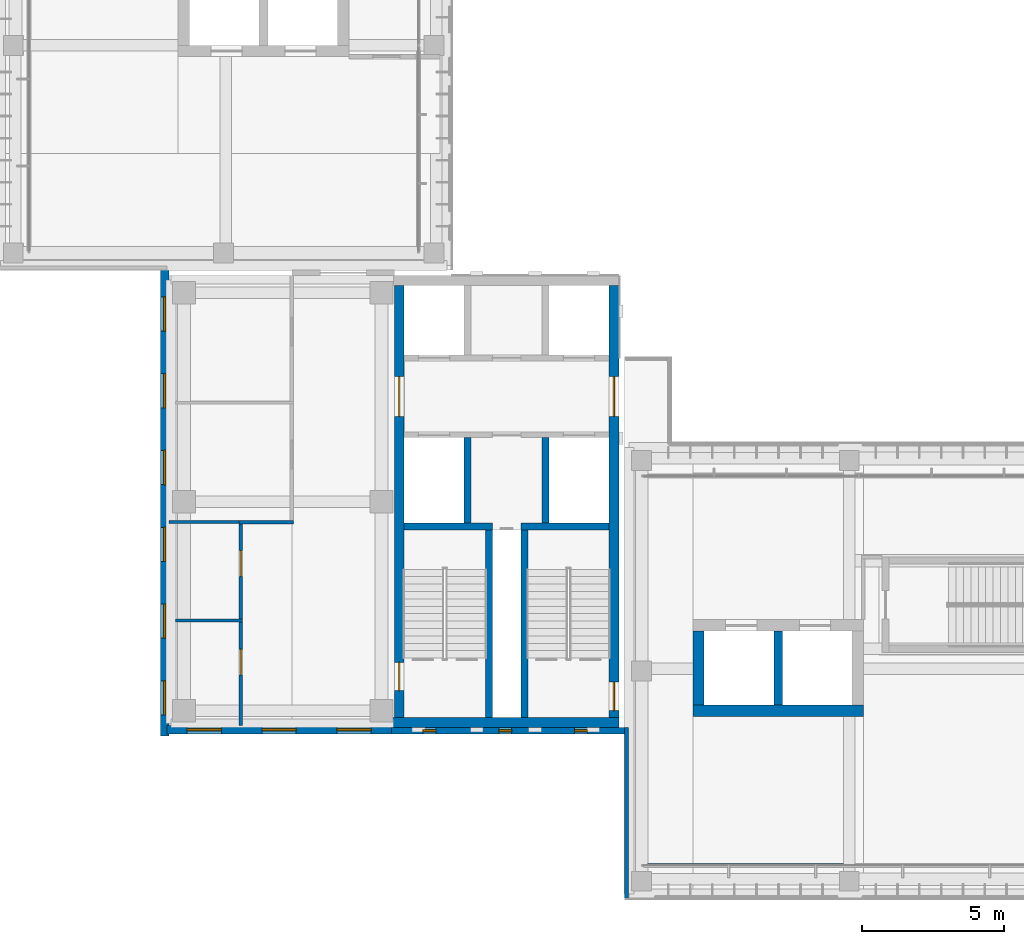
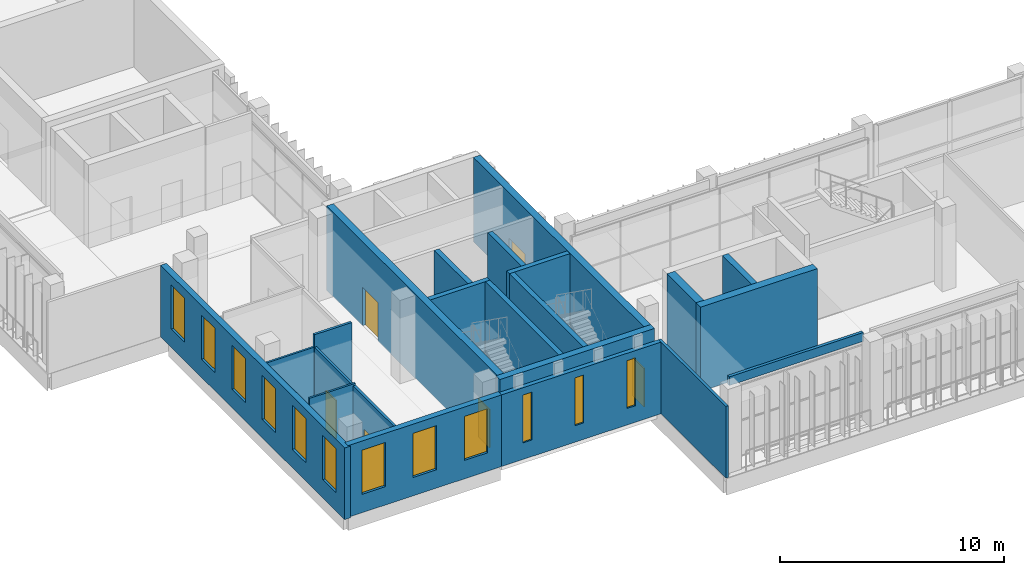
# One storey, part 22 of 46: 21 walls, 12 windows, 6 doors, 18 openings.
"""IFC4 building model written with IfcOpenShell, lengths in metres."""

from ifc_helpers import new_model, si_unit, direction, frame, frame_2d, origin, place, context, subcontext, project, spatial, rectangle, extrude, material, layer, layer_set, type_object, element, fill, save


model = new_model("IFC4")

# Units and contexts
model_context = context("Model", 3, precision=1e-05, world=origin(), true_north=direction((0.0, 1.0)))
body_context = subcontext(model_context, "Body", "Model", "MODEL_VIEW")
ifc_project = project(units=[si_unit("LENGTHUNIT", "METRE"), si_unit("AREAUNIT", "SQUARE_METRE"), si_unit("VOLUMEUNIT", "CUBIC_METRE"), si_unit("PLANEANGLEUNIT", "RADIAN"), si_unit("MASSUNIT", "GRAM", prefix="KILO")], contexts=[model_context])

# Site, building, storey
site_placement = place(None, origin())
site = spatial("IfcSite", under=ifc_project, at=site_placement, CompositionType="ELEMENT")
building_placement = place(site_placement, origin())
building = spatial("IfcBuilding", under=site, at=building_placement, Name="Lantern Court Media Centre", CompositionType="ELEMENT")
storey_placement = place(building_placement, frame((0.0, 0.0, 28.800048828125)))
storey = spatial("IfcBuildingStorey", under=building, at=storey_placement, Name="L06", CompositionType="ELEMENT", Elevation=28.800048828125)

# Wall
ifc_material_1 = material(Name="Gypsum board partition")
ifc_layer_1 = layer(ifc_material_1, 0.125)
ifc_layer_set_1 = layer_set([ifc_layer_1], Name="Gypsum board partition")
wall_type_1 = type_object("IfcWallType", Name="Corridor partition 125", PredefinedType="PARTITIONING", material=ifc_layer_set_1)
wall_1_placement = place(storey_placement, frame((10.53759765625, 55.23291015625, 0.0), z_axis=(0.0, 0.0, 1.0), x_axis=(1.0, 0.0, 0.0)))
element("IfcWall", 1, at=wall_1_placement, inside=storey, type_object=wall_type_1, Name="L06 partition 019", PredefinedType="PARTITIONING", context=body_context, shape_type="SweptSolid", body=[
    extrude(rectangle(XDim=1.9248046875, YDim=0.125, at=frame_2d((0.96240234375, 0.0))), origin(), (0.0, 0.0, 1.0), 4.56005859375),
])

# Wall, openings, doors
wall_2_placement = place(storey_placement, frame((10.60009765625, 48.080078125, 0.0), z_axis=(0.0, 0.0, 1.0), x_axis=(0.0, 1.0, 0.0)))
wall_2 = element("IfcWall", 2, at=wall_2_placement, inside=storey, type_object=wall_type_1, Name="L06 partition 021", PredefinedType="PARTITIONING", context=body_context, shape_type="SweptSolid", body=[
    extrude(rectangle(XDim=7.0908203125, YDim=0.125, at=frame_2d((3.54541015625, 0.0))), origin(), (0.0, 0.0, 1.0), 3.8798828125),
])
opening_1_placement = place(wall_2_placement, frame((1.7783203125, 0.0, 0.0)))
opening_1 = element("IfcOpeningElement", 3, at=opening_1_placement, cuts=wall_2, Name="Opening L06-011", PredefinedType="OPENING", context=body_context, shape_type="SweptSolid", body=[
    extrude(rectangle(XDim=0.89990234375, YDim=2.10009765625, at=frame_2d((0.449951171875, 1.050048828125))), frame((0.0, 0.072509765625, 0.0), z_axis=(0.0, -1.0, 0.0), x_axis=(1.0, 0.0, 0.0)), (0.0, 0.0, 1.0), 0.14501953125),
])
opening_2_placement = place(wall_2_placement, frame((5.2451171875, 0.0, 0.0)))
opening_2 = element("IfcOpeningElement", 4, at=opening_2_placement, cuts=wall_2, Name="Opening L06-012", PredefinedType="OPENING", context=body_context, shape_type="SweptSolid", body=[
    extrude(rectangle(XDim=0.89990234375, YDim=2.10009765625, at=frame_2d((0.449951171875, 1.050048828125))), frame((0.0, 0.072509765625, 0.0), z_axis=(0.0, -1.0, 0.0), x_axis=(1.0, 0.0, 0.0)), (0.0, 0.0, 1.0), 0.14501953125),
])
ifc_material_2 = material(Name="Solid-core timber door leaf", Category="wood")
door_type_1 = type_object("IfcDoorType", Name="Single door 900x2100", OperationType="NOTDEFINED", PredefinedType="DOOR", material=ifc_material_2)
door_1_placement = place(opening_1_placement, origin())
door_1 = element("IfcDoor", 5, at=door_1_placement, inside=storey, type_object=door_type_1, Name="L06 WC Male door", OperationType="SINGLE_SWING_RIGHT", OverallHeight=2.10009765625, OverallWidth=0.89990234375, PredefinedType="DOOR", context=body_context, shape_type="SweptSolid", body=[
    extrude(rectangle(XDim=0.89990234375, YDim=2.10009765625, at=frame_2d((0.449951171875, 1.050048828125))), frame((0.0, 0.02490234375, 0.0), z_axis=(0.0, -1.0, 0.0), x_axis=(1.0, 0.0, 0.0)), (0.0, 0.0, 1.0), 0.050048828125),
])
fill(opening_1, door_1)
door_2_placement = place(opening_2_placement, origin())
door_2 = element("IfcDoor", 6, at=door_2_placement, inside=storey, type_object=door_type_1, Name="L06 WC Female door", OperationType="SINGLE_SWING_LEFT", OverallHeight=2.10009765625, OverallWidth=0.89990234375, PredefinedType="DOOR", context=body_context, shape_type="SweptSolid", body=[
    extrude(rectangle(XDim=0.89990234375, YDim=2.10009765625, at=frame_2d((0.449951171875, 1.050048828125))), frame((0.0, 0.02490234375, 0.0), z_axis=(0.0, -1.0, 0.0), x_axis=(1.0, 0.0, 0.0)), (0.0, 0.0, 1.0), 0.050048828125),
])
fill(opening_2, door_2)

# Wall
ifc_material_3 = material(Name="Insulated rendered blockwork", Category="masonry")
ifc_layer_2 = layer(ifc_material_3, 0.14990234375)
ifc_layer_set_2 = layer_set([ifc_layer_2], Name="Insulated rendered blockwork")
wall_type_2 = type_object("IfcWallType", Name="Head infill wall 150", PredefinedType="SOLIDWALL", material=ifc_layer_set_2)
wall_3_placement = place(storey_placement, frame((24.89990234375, 43.14990234375, 4.099853515625), z_axis=(0.0, 0.0, 1.0), x_axis=(1.0, 0.0, 0.0)))
element("IfcWall", 7, at=wall_3_placement, inside=storey, type_object=wall_type_2, Name="Head infill wall S outer L06", PredefinedType="SOLIDWALL", context=body_context, shape_type="SweptSolid", body=[
    extrude(rectangle(XDim=6.900146484375, YDim=0.14990234375, at=frame_2d((3.4501953125, 0.0))), origin(), (0.0, 0.0, 1.0), 0.47998046875),
])

# Wall, openings, windows
ifc_material_4 = material(Name="Honed limestone cladding on blockwork", Category="masonry")
ifc_layer_3 = layer(ifc_material_4, 0.300048828125)
ifc_layer_set_3 = layer_set([ifc_layer_3], Name="Honed limestone cladding on blockwork")
wall_type_3 = type_object("IfcWallType", Name="Limestone block wall 300", PredefinedType="SOLIDWALL", material=ifc_layer_set_3)
wall_4_placement = place(storey_placement, frame((7.929931640625, 47.699951171875, 0.0), z_axis=(0.0, 0.0, 1.0), x_axis=(0.0, 1.0, 0.0)))
wall_4 = element("IfcWall", 8, at=wall_4_placement, inside=storey, type_object=wall_type_3, Name="Limestone wall SW W L06", PredefinedType="SOLIDWALL", context=body_context, shape_type="SweptSolid", body=[
    extrude(rectangle(XDim=16.400146484375, YDim=0.300048828125, at=frame_2d((8.2001953125, 0.0))), origin(), (0.0, 0.0, 1.0), 3.89990234375),
])
opening_3_placement = place(wall_4_placement, frame((0.75, 0.0, 1.0)))
opening_3 = element("IfcOpeningElement", 9, at=opening_3_placement, cuts=wall_4, Name="Opening WN-A", PredefinedType="OPENING", context=body_context, shape_type="SweptSolid", body=[
    extrude(rectangle(XDim=1.199951171875, YDim=2.39990234375, at=frame_2d((0.60009765625, 1.199951171875))), frame((0.0, 0.159912109375, 0.0), z_axis=(0.0, -1.0, 0.0), x_axis=(1.0, 0.0, 0.0)), (0.0, 0.0, 1.0), 0.320068359375),
])
opening_4_placement = place(wall_4_placement, frame((3.449951171875, 0.0, 1.0)))
opening_4 = element("IfcOpeningElement", 10, at=opening_4_placement, cuts=wall_4, Name="Opening WN-A", PredefinedType="OPENING", context=body_context, shape_type="SweptSolid", body=[
    extrude(rectangle(XDim=1.199951171875, YDim=2.39990234375, at=frame_2d((0.60009765625, 1.199951171875))), frame((0.0, 0.159912109375, 0.0), z_axis=(0.0, -1.0, 0.0), x_axis=(1.0, 0.0, 0.0)), (0.0, 0.0, 1.0), 0.320068359375),
])
opening_5_placement = place(wall_4_placement, frame((6.14990234375, 0.0, 1.0)))
opening_5 = element("IfcOpeningElement", 11, at=opening_5_placement, cuts=wall_4, Name="Opening WN-A", PredefinedType="OPENING", context=body_context, shape_type="SweptSolid", body=[
    extrude(rectangle(XDim=1.199951171875, YDim=2.39990234375, at=frame_2d((0.60009765625, 1.199951171875))), frame((0.0, 0.159912109375, 0.0), z_axis=(0.0, -1.0, 0.0), x_axis=(1.0, 0.0, 0.0)), (0.0, 0.0, 1.0), 0.320068359375),
])
opening_6_placement = place(wall_4_placement, frame((8.85009765625, 0.0, 1.0)))
opening_6 = element("IfcOpeningElement", 12, at=opening_6_placement, cuts=wall_4, Name="Opening WN-A", PredefinedType="OPENING", context=body_context, shape_type="SweptSolid", body=[
    extrude(rectangle(XDim=1.199951171875, YDim=2.39990234375, at=frame_2d((0.60009765625, 1.199951171875))), frame((0.0, 0.159912109375, 0.0), z_axis=(0.0, -1.0, 0.0), x_axis=(1.0, 0.0, 0.0)), (0.0, 0.0, 1.0), 0.320068359375),
])
opening_7_placement = place(wall_4_placement, frame((11.550048828125, 0.0, 1.0)))
opening_7 = element("IfcOpeningElement", 13, at=opening_7_placement, cuts=wall_4, Name="Opening WN-A", PredefinedType="OPENING", context=body_context, shape_type="SweptSolid", body=[
    extrude(rectangle(XDim=1.199951171875, YDim=2.39990234375, at=frame_2d((0.60009765625, 1.199951171875))), frame((0.0, 0.159912109375, 0.0), z_axis=(0.0, -1.0, 0.0), x_axis=(1.0, 0.0, 0.0)), (0.0, 0.0, 1.0), 0.320068359375),
])
opening_8_placement = place(wall_4_placement, frame((14.25, 0.0, 1.0)))
opening_8 = element("IfcOpeningElement", 14, at=opening_8_placement, cuts=wall_4, Name="Opening WN-A", PredefinedType="OPENING", context=body_context, shape_type="SweptSolid", body=[
    extrude(rectangle(XDim=1.199951171875, YDim=2.39990234375, at=frame_2d((0.60009765625, 1.199951171875))), frame((0.0, 0.159912109375, 0.0), z_axis=(0.0, -1.0, 0.0), x_axis=(1.0, 0.0, 0.0)), (0.0, 0.0, 1.0), 0.320068359375),
])
ifc_material_5 = material(Name="Anodised aluminium and glass", Category="aluminium")
window_type_1 = type_object("IfcWindowType", Name="Attic window 1200x2400", PartitioningType="SINGLE_PANEL", PredefinedType="WINDOW", material=ifc_material_5)
window_1_placement = place(opening_3_placement, origin())
window_1 = element("IfcWindow", 15, at=window_1_placement, inside=storey, type_object=window_type_1, Name="Window SW W L06", OverallHeight=2.39990234375, OverallWidth=1.199951171875, PartitioningType="SINGLE_PANEL", PredefinedType="WINDOW", context=body_context, shape_type="SweptSolid", body=[
    extrude(rectangle(XDim=1.199951171875, YDim=2.39990234375, at=frame_2d((0.60009765625, 1.199951171875))), frame((0.0, 0.030029296875, 0.0), z_axis=(0.0, -1.0, 0.0), x_axis=(1.0, 0.0, 0.0)), (0.0, 0.0, 1.0), 0.06005859375),
])
fill(opening_3, window_1)
window_2_placement = place(opening_4_placement, origin())
window_2 = element("IfcWindow", 16, at=window_2_placement, inside=storey, type_object=window_type_1, Name="Window SW W L06", OverallHeight=2.39990234375, OverallWidth=1.199951171875, PartitioningType="SINGLE_PANEL", PredefinedType="WINDOW", context=body_context, shape_type="SweptSolid", body=[
    extrude(rectangle(XDim=1.199951171875, YDim=2.39990234375, at=frame_2d((0.60009765625, 1.199951171875))), frame((0.0, 0.030029296875, 0.0), z_axis=(0.0, -1.0, 0.0), x_axis=(1.0, 0.0, 0.0)), (0.0, 0.0, 1.0), 0.06005859375),
])
fill(opening_4, window_2)
window_3_placement = place(opening_5_placement, origin())
window_3 = element("IfcWindow", 17, at=window_3_placement, inside=storey, type_object=window_type_1, Name="Window SW W L06", OverallHeight=2.39990234375, OverallWidth=1.199951171875, PartitioningType="SINGLE_PANEL", PredefinedType="WINDOW", context=body_context, shape_type="SweptSolid", body=[
    extrude(rectangle(XDim=1.199951171875, YDim=2.39990234375, at=frame_2d((0.60009765625, 1.199951171875))), frame((0.0, 0.030029296875, 0.0), z_axis=(0.0, -1.0, 0.0), x_axis=(1.0, 0.0, 0.0)), (0.0, 0.0, 1.0), 0.06005859375),
])
fill(opening_5, window_3)
window_4_placement = place(opening_6_placement, origin())
window_4 = element("IfcWindow", 18, at=window_4_placement, inside=storey, type_object=window_type_1, Name="Window SW W L06", OverallHeight=2.39990234375, OverallWidth=1.199951171875, PartitioningType="SINGLE_PANEL", PredefinedType="WINDOW", context=body_context, shape_type="SweptSolid", body=[
    extrude(rectangle(XDim=1.199951171875, YDim=2.39990234375, at=frame_2d((0.60009765625, 1.199951171875))), frame((0.0, 0.030029296875, 0.0), z_axis=(0.0, -1.0, 0.0), x_axis=(1.0, 0.0, 0.0)), (0.0, 0.0, 1.0), 0.06005859375),
])
fill(opening_6, window_4)
window_5_placement = place(opening_7_placement, origin())
window_5 = element("IfcWindow", 19, at=window_5_placement, inside=storey, type_object=window_type_1, Name="Window SW W L06", OverallHeight=2.39990234375, OverallWidth=1.199951171875, PartitioningType="SINGLE_PANEL", PredefinedType="WINDOW", context=body_context, shape_type="SweptSolid", body=[
    extrude(rectangle(XDim=1.199951171875, YDim=2.39990234375, at=frame_2d((0.60009765625, 1.199951171875))), frame((0.0, 0.030029296875, 0.0), z_axis=(0.0, -1.0, 0.0), x_axis=(1.0, 0.0, 0.0)), (0.0, 0.0, 1.0), 0.06005859375),
])
fill(opening_7, window_5)
window_6_placement = place(opening_8_placement, origin())
window_6 = element("IfcWindow", 20, at=window_6_placement, inside=storey, type_object=window_type_1, Name="Window SW W L06", OverallHeight=2.39990234375, OverallWidth=1.199951171875, PartitioningType="SINGLE_PANEL", PredefinedType="WINDOW", context=body_context, shape_type="SweptSolid", body=[
    extrude(rectangle(XDim=1.199951171875, YDim=2.39990234375, at=frame_2d((0.60009765625, 1.199951171875))), frame((0.0, 0.030029296875, 0.0), z_axis=(0.0, -1.0, 0.0), x_axis=(1.0, 0.0, 0.0)), (0.0, 0.0, 1.0), 0.06005859375),
])
fill(opening_8, window_6)

wall_5_placement = place(storey_placement, frame((8.0, 47.929931640625, 0.0), z_axis=(0.0, 0.0, 1.0), x_axis=(1.0, 0.0, 0.0)))
wall_5 = element("IfcWall", 21, at=wall_5_placement, inside=storey, type_object=wall_type_3, Name="Limestone wall SW S L06", PredefinedType="SOLIDWALL", context=body_context, shape_type="SweptSolid", body=[
    extrude(rectangle(XDim=7.89990234375, YDim=0.300048828125, at=frame_2d((3.949951171875, 0.0))), origin(), (0.0, 0.0, 1.0), 3.89990234375),
])
opening_9_placement = place(wall_5_placement, frame((0.716552734375, 0.0, 1.0)))
opening_9 = element("IfcOpeningElement", 22, at=opening_9_placement, cuts=wall_5, Name="Opening WN-A", PredefinedType="OPENING", context=body_context, shape_type="SweptSolid", body=[
    extrude(rectangle(XDim=1.199951171875, YDim=2.39990234375, at=frame_2d((0.60009765625, 1.199951171875))), frame((0.0, 0.159912109375, 0.0), z_axis=(0.0, -1.0, 0.0), x_axis=(1.0, 0.0, 0.0)), (0.0, 0.0, 1.0), 0.320068359375),
])
opening_10_placement = place(wall_5_placement, frame((3.35009765625, 0.0, 1.0)))
opening_10 = element("IfcOpeningElement", 23, at=opening_10_placement, cuts=wall_5, Name="Opening WN-A", PredefinedType="OPENING", context=body_context, shape_type="SweptSolid", body=[
    extrude(rectangle(XDim=1.199951171875, YDim=2.39990234375, at=frame_2d((0.60009765625, 1.199951171875))), frame((0.0, 0.159912109375, 0.0), z_axis=(0.0, -1.0, 0.0), x_axis=(1.0, 0.0, 0.0)), (0.0, 0.0, 1.0), 0.320068359375),
])
opening_11_placement = place(wall_5_placement, frame((5.9833984375, 0.0, 1.0)))
opening_11 = element("IfcOpeningElement", 24, at=opening_11_placement, cuts=wall_5, Name="Opening WN-A", PredefinedType="OPENING", context=body_context, shape_type="SweptSolid", body=[
    extrude(rectangle(XDim=1.199951171875, YDim=2.39990234375, at=frame_2d((0.60009765625, 1.199951171875))), frame((0.0, 0.159912109375, 0.0), z_axis=(0.0, -1.0, 0.0), x_axis=(1.0, 0.0, 0.0)), (0.0, 0.0, 1.0), 0.320068359375),
])
window_7_placement = place(opening_9_placement, origin())
window_7 = element("IfcWindow", 25, at=window_7_placement, inside=storey, type_object=window_type_1, Name="Window SW S L06", OverallHeight=2.39990234375, OverallWidth=1.199951171875, PartitioningType="SINGLE_PANEL", PredefinedType="WINDOW", context=body_context, shape_type="SweptSolid", body=[
    extrude(rectangle(XDim=1.199951171875, YDim=2.39990234375, at=frame_2d((0.60009765625, 1.199951171875))), frame((0.0, 0.030029296875, 0.0), z_axis=(0.0, -1.0, 0.0), x_axis=(1.0, 0.0, 0.0)), (0.0, 0.0, 1.0), 0.06005859375),
])
fill(opening_9, window_7)
window_8_placement = place(opening_10_placement, origin())
window_8 = element("IfcWindow", 26, at=window_8_placement, inside=storey, type_object=window_type_1, Name="Window SW S L06", OverallHeight=2.39990234375, OverallWidth=1.199951171875, PartitioningType="SINGLE_PANEL", PredefinedType="WINDOW", context=body_context, shape_type="SweptSolid", body=[
    extrude(rectangle(XDim=1.199951171875, YDim=2.39990234375, at=frame_2d((0.60009765625, 1.199951171875))), frame((0.0, 0.030029296875, 0.0), z_axis=(0.0, -1.0, 0.0), x_axis=(1.0, 0.0, 0.0)), (0.0, 0.0, 1.0), 0.06005859375),
])
fill(opening_10, window_8)
window_9_placement = place(opening_11_placement, origin())
window_9 = element("IfcWindow", 27, at=window_9_placement, inside=storey, type_object=window_type_1, Name="Window SW S L06", OverallHeight=2.39990234375, OverallWidth=1.199951171875, PartitioningType="SINGLE_PANEL", PredefinedType="WINDOW", context=body_context, shape_type="SweptSolid", body=[
    extrude(rectangle(XDim=1.199951171875, YDim=2.39990234375, at=frame_2d((0.60009765625, 1.199951171875))), frame((0.0, 0.030029296875, 0.0), z_axis=(0.0, -1.0, 0.0), x_axis=(1.0, 0.0, 0.0)), (0.0, 0.0, 1.0), 0.06005859375),
])
fill(opening_11, window_9)

# Wall
ifc_layer_4 = layer(ifc_material_4, 0.139892578125)
ifc_layer_set_4 = layer_set([ifc_layer_4], Name="Honed limestone cladding on blockwork")
wall_type_4 = type_object("IfcWallType", Name="Limestone closure wall 140", PredefinedType="SOLIDWALL", material=ifc_layer_set_4)
wall_6_placement = place(storey_placement, frame((24.169921875, 42.0, 0.0), z_axis=(0.0, 0.0, 1.0), x_axis=(0.0, 1.0, 0.0)))
element("IfcWall", 28, at=wall_6_placement, inside=storey, type_object=wall_type_4, Name="Limestone closure wall S-SW L06", PredefinedType="SOLIDWALL", context=body_context, shape_type="SweptSolid", body=[
    extrude(rectangle(XDim=6.0, YDim=0.139892578125, at=frame_2d((3.0, 0.0))), origin(), (0.0, 0.0, 1.0), 3.89990234375),
])

# Wall, openings, windows
ifc_material_6 = material(Name="Honed limestone cladding on blockwork, reduced to 220 where it passes the core wall", Category="masonry")
ifc_layer_5 = layer(ifc_material_6, 0.219970703125)
ifc_layer_set_5 = layer_set([ifc_layer_5], Name="Honed limestone cladding on blockwork, reduced to 220 where it passes the core wall")
wall_type_5 = type_object("IfcWallType", Name="Limestone skin wall 220", PredefinedType="SOLIDWALL", material=ifc_layer_set_5)
wall_7_placement = place(storey_placement, frame((15.89990234375, 47.889892578125, 0.0), z_axis=(0.0, 0.0, 1.0), x_axis=(1.0, 0.0, 0.0)))
wall_7 = element("IfcWall", 29, at=wall_7_placement, inside=storey, type_object=wall_type_5, Name="Limestone wall SW S L06", PredefinedType="SOLIDWALL", context=body_context, shape_type="SweptSolid", body=[
    extrude(rectangle(XDim=8.2001953125, YDim=0.219970703125, at=frame_2d((4.10009765625, 0.0))), origin(), (0.0, 0.0, 1.0), 3.89990234375),
])
opening_12_placement = place(wall_7_placement, frame((1.1083984375, 0.0, 0.89990234375)))
opening_12 = element("IfcOpeningElement", 30, at=opening_12_placement, cuts=wall_7, Name="Opening WN-S", PredefinedType="OPENING", context=body_context, shape_type="SweptSolid", body=[
    extrude(rectangle(XDim=0.449951171875, YDim=2.60009765625, at=frame_2d((0.22509765625, 1.300048828125))), frame((0.0, 0.119873046875, 0.0), z_axis=(0.0, -1.0, 0.0), x_axis=(1.0, 0.0, 0.0)), (0.0, 0.0, 1.0), 0.239990234375),
])
opening_13_placement = place(wall_7_placement, frame((3.77490234375, 0.0, 0.89990234375)))
opening_13 = element("IfcOpeningElement", 31, at=opening_13_placement, cuts=wall_7, Name="Opening WN-S", PredefinedType="OPENING", context=body_context, shape_type="SweptSolid", body=[
    extrude(rectangle(XDim=0.449951171875, YDim=2.60009765625, at=frame_2d((0.22509765625, 1.300048828125))), frame((0.0, 0.119873046875, 0.0), z_axis=(0.0, -1.0, 0.0), x_axis=(1.0, 0.0, 0.0)), (0.0, 0.0, 1.0), 0.239990234375),
])
opening_14_placement = place(wall_7_placement, frame((6.441650390625, 0.0, 0.89990234375)))
opening_14 = element("IfcOpeningElement", 32, at=opening_14_placement, cuts=wall_7, Name="Opening WN-S", PredefinedType="OPENING", context=body_context, shape_type="SweptSolid", body=[
    extrude(rectangle(XDim=0.449951171875, YDim=2.60009765625, at=frame_2d((0.22509765625, 1.300048828125))), frame((0.0, 0.119873046875, 0.0), z_axis=(0.0, -1.0, 0.0), x_axis=(1.0, 0.0, 0.0)), (0.0, 0.0, 1.0), 0.239990234375),
])
window_type_2 = type_object("IfcWindowType", Name="Stair slit window 450x2600", PartitioningType="SINGLE_PANEL", PredefinedType="WINDOW", material=ifc_material_5)
window_10_placement = place(opening_12_placement, origin())
window_10 = element("IfcWindow", 33, at=window_10_placement, inside=storey, type_object=window_type_2, Name="Window SW S L06", OverallHeight=2.60009765625, OverallWidth=0.449951171875, PartitioningType="SINGLE_PANEL", PredefinedType="WINDOW", context=body_context, shape_type="SweptSolid", body=[
    extrude(rectangle(XDim=0.449951171875, YDim=2.60009765625, at=frame_2d((0.22509765625, 1.300048828125))), frame((0.0, 0.030029296875, 0.0), z_axis=(0.0, -1.0, 0.0), x_axis=(1.0, 0.0, 0.0)), (0.0, 0.0, 1.0), 0.06005859375),
])
fill(opening_12, window_10)
window_11_placement = place(opening_13_placement, origin())
window_11 = element("IfcWindow", 34, at=window_11_placement, inside=storey, type_object=window_type_2, Name="Window SW S L06", OverallHeight=2.60009765625, OverallWidth=0.449951171875, PartitioningType="SINGLE_PANEL", PredefinedType="WINDOW", context=body_context, shape_type="SweptSolid", body=[
    extrude(rectangle(XDim=0.449951171875, YDim=2.60009765625, at=frame_2d((0.22509765625, 1.300048828125))), frame((0.0, 0.030029296875, 0.0), z_axis=(0.0, -1.0, 0.0), x_axis=(1.0, 0.0, 0.0)), (0.0, 0.0, 1.0), 0.06005859375),
])
fill(opening_13, window_11)
window_12_placement = place(opening_14_placement, origin())
window_12 = element("IfcWindow", 35, at=window_12_placement, inside=storey, type_object=window_type_2, Name="Window SW S L06", OverallHeight=2.60009765625, OverallWidth=0.449951171875, PartitioningType="SINGLE_PANEL", PredefinedType="WINDOW", context=body_context, shape_type="SweptSolid", body=[
    extrude(rectangle(XDim=0.449951171875, YDim=2.60009765625, at=frame_2d((0.22509765625, 1.300048828125))), frame((0.0, 0.030029296875, 0.0), z_axis=(0.0, -1.0, 0.0), x_axis=(1.0, 0.0, 0.0)), (0.0, 0.0, 1.0), 0.06005859375),
])
fill(opening_14, window_12)

# Walls
ifc_layer_6 = layer(ifc_material_1, 0.10009765625)
ifc_layer_set_6 = layer_set([ifc_layer_6], Name="Gypsum board partition")
wall_type_6 = type_object("IfcWallType", Name="Partition 100", PredefinedType="PARTITIONING", material=ifc_layer_set_6)
wall_8_placement = place(storey_placement, frame((8.080078125, 55.23291015625, 0.0), z_axis=(0.0, 0.0, 1.0), x_axis=(1.0, 0.0, 0.0)))
element("IfcWall", 36, at=wall_8_placement, inside=storey, type_object=wall_type_6, Name="L06 partition 018", PredefinedType="PARTITIONING", context=body_context, shape_type="SweptSolid", body=[
    extrude(rectangle(XDim=2.58251953125, YDim=0.10009765625, at=frame_2d((1.291259765625, 0.0))), origin(), (0.0, 0.0, 1.0), 3.8798828125),
])
wall_9_placement = place(storey_placement, frame((8.300048828125, 51.76708984375, 0.0), z_axis=(0.0, 0.0, 1.0), x_axis=(1.0, 0.0, 0.0)))
element("IfcWall", 37, at=wall_9_placement, inside=storey, type_object=wall_type_6, Name="L06 partition 022", PredefinedType="PARTITIONING", context=body_context, shape_type="SweptSolid", body=[
    extrude(rectangle(XDim=2.362548828125, YDim=0.10009765625, at=frame_2d((1.18115234375, 0.0))), origin(), (0.0, 0.0, 1.0), 3.97998046875),
])
ifc_material_7 = material(Name="Concrete C40", Category="concrete")
ifc_layer_7 = layer(ifc_material_7, 0.35009765625)
ifc_layer_set_7 = layer_set([ifc_layer_7], Name="Concrete C40")
wall_type_7 = type_object("IfcWallType", Name="RC CORE WALL 350", PredefinedType="SHEAR", material=ifc_layer_set_7)
wall_10_placement = place(storey_placement, frame((15.949951171875, 48.175048828125, 0.0), z_axis=(0.0, 0.0, 1.0), x_axis=(1.0, 0.0, 0.0)))
element("IfcWall", 38, at=wall_10_placement, inside=storey, type_object=wall_type_7, Name="WC-SW-L06-S", PredefinedType="SHEAR", context=body_context, shape_type="SweptSolid", body=[
    extrude(rectangle(XDim=7.949951171875, YDim=0.35009765625, at=frame_2d((3.97509765625, 0.0))), origin(), (0.0, 0.0, 1.0), 4.579833984375),
])

# Wall, openings, doors
wall_11_placement = place(storey_placement, frame((16.175048828125, 48.35009765625, 0.0), z_axis=(0.0, 0.0, 1.0), x_axis=(0.0, 1.0, 0.0)))
wall_11 = element("IfcWall", 39, at=wall_11_placement, inside=storey, type_object=wall_type_7, Name="WC-SW-L06-W", PredefinedType="SHEAR", context=body_context, shape_type="SweptSolid", body=[
    extrude(rectangle(XDim=15.199951171875, YDim=0.35009765625, at=frame_2d((7.60009765625, 0.0))), origin(), (0.0, 0.0, 1.0), 4.579833984375),
])
opening_15_placement = place(wall_11_placement, frame((0.949951171875, 0.0, 0.0)))
opening_15 = element("IfcOpeningElement", 40, at=opening_15_placement, cuts=wall_11, Name="Opening SW-L06-01", PredefinedType="OPENING", context=body_context, shape_type="SweptSolid", body=[
    extrude(rectangle(XDim=1.0, YDim=2.10009765625, at=frame_2d((0.5, 1.050048828125))), frame((0.0, 0.18505859375, 0.0), z_axis=(0.0, -1.0, 0.0), x_axis=(1.0, 0.0, 0.0)), (0.0, 0.0, 1.0), 0.3701171875),
])
opening_16_placement = place(wall_11_placement, frame((10.60009765625, 0.0, 0.0)))
opening_16 = element("IfcOpeningElement", 41, at=opening_16_placement, cuts=wall_11, Name="Opening SW-L06-05", PredefinedType="OPENING", context=body_context, shape_type="SweptSolid", body=[
    extrude(rectangle(XDim=1.39990234375, YDim=2.10009765625, at=frame_2d((0.699951171875, 1.050048828125))), frame((0.0, 0.18505859375, 0.0), z_axis=(0.0, -1.0, 0.0), x_axis=(1.0, 0.0, 0.0)), (0.0, 0.0, 1.0), 0.3701171875),
])
ifc_material_8 = material(Name="Steel door leaf", Category="steel")
door_type_2 = type_object("IfcDoorType", Name="Lift lobby double door 1400x2100", OperationType="NOTDEFINED", PredefinedType="DOOR", material=ifc_material_8)
door_3_placement = place(opening_16_placement, origin())
door_3 = element("IfcDoor", 42, at=door_3_placement, inside=storey, type_object=door_type_2, Name="L06 SW lift lobby west door", OperationType="SINGLE_SWING_LEFT", OverallHeight=2.10009765625, OverallWidth=1.39990234375, PredefinedType="DOOR", context=body_context, shape_type="SweptSolid", body=[
    extrude(rectangle(XDim=1.39990234375, YDim=2.10009765625, at=frame_2d((0.699951171875, 1.050048828125))), frame((0.0, 0.02490234375, 0.0), z_axis=(0.0, -1.0, 0.0), x_axis=(1.0, 0.0, 0.0)), (0.0, 0.0, 1.0), 0.050048828125),
])
fill(opening_16, door_3)
door_type_3 = type_object("IfcDoorType", Name="Stair door 1000x2100", OperationType="NOTDEFINED", PredefinedType="DOOR", material=ifc_material_8)
door_4_placement = place(opening_15_placement, origin())
door_4 = element("IfcDoor", 43, at=door_4_placement, inside=storey, type_object=door_type_3, Name="L06 SW stair A door", OperationType="SINGLE_SWING_LEFT", OverallHeight=2.10009765625, OverallWidth=1.0, PredefinedType="DOOR", context=body_context, shape_type="SweptSolid", body=[
    extrude(rectangle(XDim=1.0, YDim=2.10009765625, at=frame_2d((0.5, 1.050048828125))), frame((0.0, 0.02490234375, 0.0), z_axis=(0.0, -1.0, 0.0), x_axis=(1.0, 0.0, 0.0)), (0.0, 0.0, 1.0), 0.050048828125),
])
fill(opening_15, door_4)

wall_12_placement = place(storey_placement, frame((23.72509765625, 48.35009765625, 0.0), z_axis=(0.0, 0.0, 1.0), x_axis=(0.0, 1.0, 0.0)))
wall_12 = element("IfcWall", 44, at=wall_12_placement, inside=storey, type_object=wall_type_7, Name="WC-SW-L06-E", PredefinedType="SHEAR", context=body_context, shape_type="SweptSolid", body=[
    extrude(rectangle(XDim=15.199951171875, YDim=0.35009765625, at=frame_2d((7.60009765625, 0.0))), origin(), (0.0, 0.0, 1.0), 4.579833984375),
])
opening_17_placement = place(wall_12_placement, frame((0.25, 0.0, 0.0)))
opening_17 = element("IfcOpeningElement", 45, at=opening_17_placement, cuts=wall_12, Name="Opening SW-L06-02", PredefinedType="OPENING", context=body_context, shape_type="SweptSolid", body=[
    extrude(rectangle(XDim=1.0, YDim=2.10009765625, at=frame_2d((0.5, 1.050048828125))), frame((0.0, 0.18505859375, 0.0), z_axis=(0.0, -1.0, 0.0), x_axis=(1.0, 0.0, 0.0)), (0.0, 0.0, 1.0), 0.3701171875),
])
opening_18_placement = place(wall_12_placement, frame((10.60009765625, 0.0, 0.0)))
opening_18 = element("IfcOpeningElement", 46, at=opening_18_placement, cuts=wall_12, Name="Opening SW-L06-06", PredefinedType="OPENING", context=body_context, shape_type="SweptSolid", body=[
    extrude(rectangle(XDim=1.39990234375, YDim=2.10009765625, at=frame_2d((0.699951171875, 1.050048828125))), frame((0.0, 0.18505859375, 0.0), z_axis=(0.0, -1.0, 0.0), x_axis=(1.0, 0.0, 0.0)), (0.0, 0.0, 1.0), 0.3701171875),
])
door_5_placement = place(opening_18_placement, frame((1.39990234375, 0.0, 0.0), z_axis=(0.0, 0.0, 1.0), x_axis=(-1.0, 0.0, 0.0)))
door_5 = element("IfcDoor", 47, at=door_5_placement, inside=storey, type_object=door_type_2, Name="L06 SW lift lobby east door", OperationType="SINGLE_SWING_RIGHT", OverallHeight=2.10009765625, OverallWidth=1.39990234375, PredefinedType="DOOR", context=body_context, shape_type="SweptSolid", body=[
    extrude(rectangle(XDim=1.39990234375, YDim=2.10009765625, at=frame_2d((0.699951171875, 1.050048828125))), frame((0.0, 0.02490234375, 0.0), z_axis=(0.0, -1.0, 0.0), x_axis=(1.0, 0.0, 0.0)), (0.0, 0.0, 1.0), 0.050048828125),
])
fill(opening_18, door_5)
door_6_placement = place(opening_17_placement, frame((1.0, 0.0, 0.0), z_axis=(0.0, 0.0, 1.0), x_axis=(-1.0, 0.0, 0.0)))
door_6 = element("IfcDoor", 48, at=door_6_placement, inside=storey, type_object=door_type_3, Name="L06 SW stair B door", OperationType="SINGLE_SWING_RIGHT", OverallHeight=2.10009765625, OverallWidth=1.0, PredefinedType="DOOR", context=body_context, shape_type="SweptSolid", body=[
    extrude(rectangle(XDim=1.0, YDim=2.10009765625, at=frame_2d((0.5, 1.050048828125))), frame((0.0, 0.02490234375, 0.0), z_axis=(0.0, -1.0, 0.0), x_axis=(1.0, 0.0, 0.0)), (0.0, 0.0, 1.0), 0.050048828125),
])
fill(opening_17, door_6)

# Walls
ifc_layer_8 = layer(ifc_material_7, 0.300048828125)
ifc_layer_set_8 = layer_set([ifc_layer_8], Name="Concrete C40")
wall_type_8 = type_object("IfcWallType", Name="RC SHEAR WALL 300", PredefinedType="SHEAR", material=ifc_layer_set_8)
wall_13_placement = place(storey_placement, frame((29.5, 48.800048828125, 0.0), z_axis=(0.0, 0.0, 1.0), x_axis=(0.0, 1.0, 0.0)))
element("IfcWall", 49, at=wall_13_placement, inside=storey, type_object=wall_type_8, Name="WB-S-LC1-L06-D", PredefinedType="SHEAR", context=body_context, shape_type="SweptSolid", body=[
    extrude(rectangle(XDim=2.599853515625, YDim=0.300048828125, at=frame_2d((1.2998046875, 0.0))), origin(), (0.0, 0.0, 1.0), 4.579833984375),
])
ifc_layer_9 = layer(ifc_material_7, 0.39990234375)
ifc_layer_set_9 = layer_set([ifc_layer_9], Name="Concrete C40")
wall_type_9 = type_object("IfcWallType", Name="RC SHEAR WALL 400", PredefinedType="SHEAR", material=ifc_layer_set_9)
wall_14_placement = place(storey_placement, frame((26.5, 48.60009765625, 0.0), z_axis=(0.0, 0.0, 1.0), x_axis=(1.0, 0.0, 0.0)))
element("IfcWall", 50, at=wall_14_placement, inside=storey, type_object=wall_type_9, Name="WB-S-LC1-L06-S", PredefinedType="SHEAR", context=body_context, shape_type="SweptSolid", body=[
    extrude(rectangle(XDim=6.0, YDim=0.39990234375, at=frame_2d((3.0, 0.0))), origin(), (0.0, 0.0, 1.0), 4.579833984375),
])
wall_15_placement = place(storey_placement, frame((26.699951171875, 48.800048828125, 0.0), z_axis=(0.0, 0.0, 1.0), x_axis=(0.0, 1.0, 0.0)))
element("IfcWall", 51, at=wall_15_placement, inside=storey, type_object=wall_type_9, Name="WB-S-LC1-L06-W", PredefinedType="SHEAR", context=body_context, shape_type="SweptSolid", body=[
    extrude(rectangle(XDim=2.599853515625, YDim=0.39990234375, at=frame_2d((1.2998046875, 0.0))), origin(), (0.0, 0.0, 1.0), 4.579833984375),
])
ifc_layer_10 = layer(ifc_material_7, 0.25)
ifc_layer_set_10 = layer_set([ifc_layer_10], Name="Concrete C40")
wall_type_10 = type_object("IfcWallType", Name="RC lift shaft wall 250", PredefinedType="SOLIDWALL", material=ifc_layer_set_10)
for number, where, z_axis, x_axis, name in (
    (52, (18.574951171875, 55.199951171875, 0.0), (0.0, 0.0, 1.0), (0.0, 1.0, 0.0), "L06 SW L1a"),
    (53, (21.324951171875, 55.199951171875, 0.0), (0.0, 0.0, 1.0), (0.0, 1.0, 0.0), "L06 SW L2a"),
):
    element("IfcWall", number, at=place(storey_placement, frame(where, z_axis=z_axis, x_axis=x_axis)), inside=storey, type_object=wall_type_10, Name=name, PredefinedType="SOLIDWALL", context=body_context, shape_type="SweptSolid", body=[
        extrude(rectangle(XDim=3.0, YDim=0.25, at=frame_2d((1.5, 0.0))), origin(), (0.0, 0.0, 1.0), 4.550048828125),
    ])
ifc_layer_11 = layer(ifc_material_7, 0.25)
ifc_layer_set_11 = layer_set([ifc_layer_11], Name="Concrete C40")
wall_type_11 = type_object("IfcWallType", Name="RC stair shaft wall 250", PredefinedType="SOLIDWALL", material=ifc_layer_set_11)
for number, where, z_axis, x_axis, name in (
    (54, (19.324951171875, 48.35009765625, 0.0), (0.0, 0.0, 1.0), (0.0, 1.0, 0.0), "L06 SW SA"),
    (55, (20.574951171875, 48.35009765625, 0.0), (0.0, 0.0, 1.0), (0.0, 1.0, 0.0), "L06 SW SB"),
):
    element("IfcWall", number, at=place(storey_placement, frame(where, z_axis=z_axis, x_axis=x_axis)), inside=storey, type_object=wall_type_11, Name=name, PredefinedType="SOLIDWALL", context=body_context, shape_type="SweptSolid", body=[
        extrude(rectangle(XDim=6.599853515625, YDim=0.25, at=frame_2d((3.2998046875, 0.0))), origin(), (0.0, 0.0, 1.0), 4.550048828125),
    ])
wall_16_placement = place(storey_placement, frame((16.35009765625, 55.074951171875, 0.0), z_axis=(0.0, 0.0, 1.0), x_axis=(1.0, 0.0, 0.0)))
element("IfcWall", 56, at=wall_16_placement, inside=storey, type_object=wall_type_11, Name="L06 SW SN1", PredefinedType="SOLIDWALL", context=body_context, shape_type="SweptSolid", body=[
    extrude(rectangle(XDim=3.099853515625, YDim=0.25, at=frame_2d((1.5498046875, 0.0))), origin(), (0.0, 0.0, 1.0), 4.550048828125),
])
wall_17_placement = place(storey_placement, frame((20.449951171875, 55.074951171875, 0.0), z_axis=(0.0, 0.0, 1.0), x_axis=(1.0, 0.0, 0.0)))
element("IfcWall", 57, at=wall_17_placement, inside=storey, type_object=wall_type_11, Name="L06 SW SN2", PredefinedType="SOLIDWALL", context=body_context, shape_type="SweptSolid", body=[
    extrude(rectangle(XDim=3.10009765625, YDim=0.25, at=frame_2d((1.550048828125, 0.0))), origin(), (0.0, 0.0, 1.0), 4.550048828125),
])

save(model, "model.ifc")
